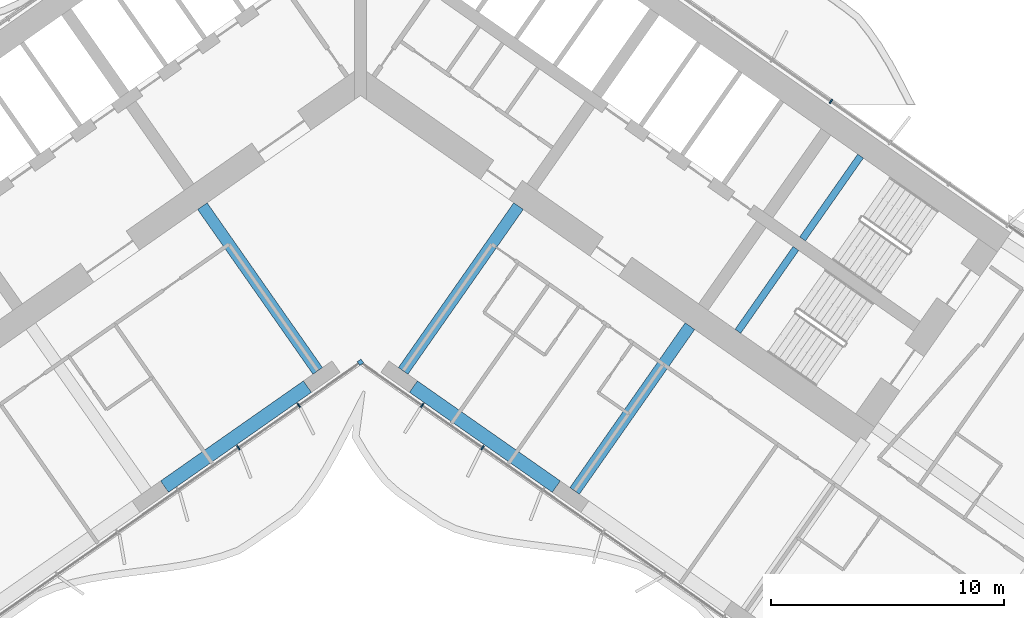
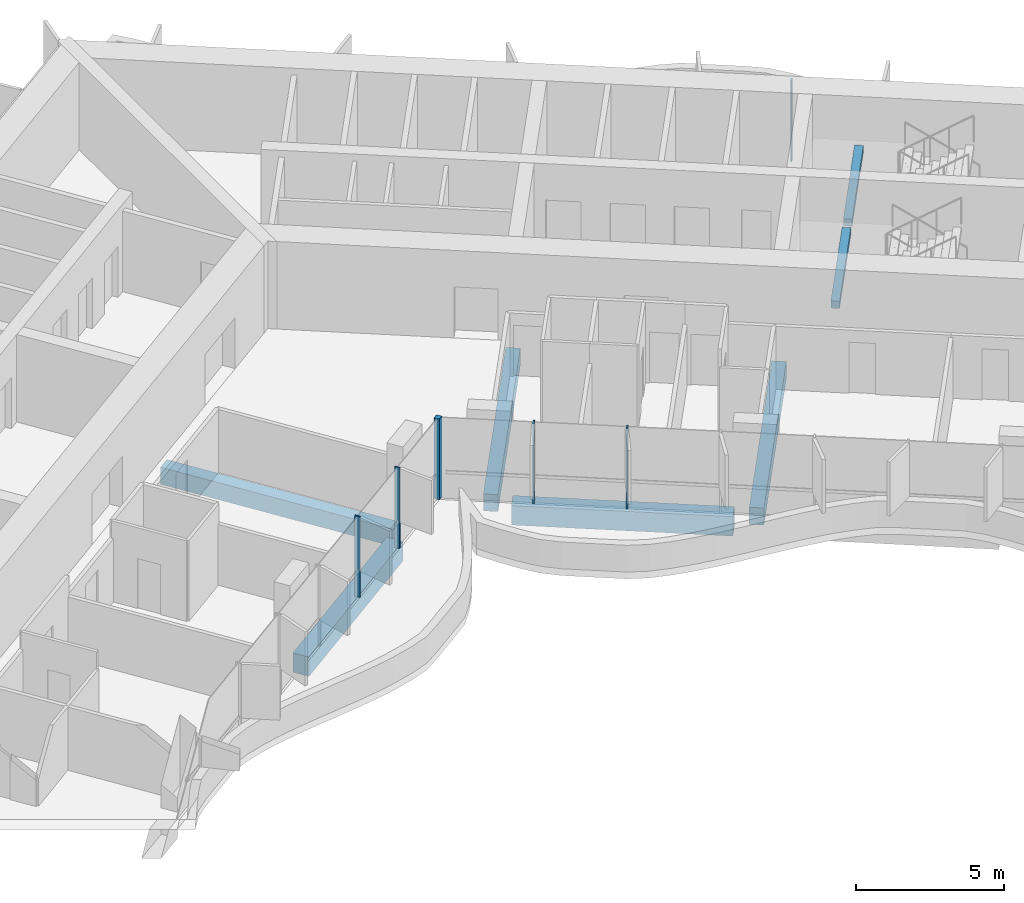
# One storey, part 6 of 23: 7 beams, 6 members, 2 elements without a shape of their own.
"""IFC4 building model written with IfcOpenShell, lengths in metres."""

import ifcopenshell
import ifcopenshell.guid

model = None  # the IFC model being written
_history = None  # IfcOwnerHistory: only IFC2X3 demands one
_inside = {}  # id of a spatial element -> (the spatial element, [elements in it])
_under = {}  # id of a project, library or spatial element -> (it, [spatial elements below it])
_declared = {}  # id of a project -> (the project, [libraries it declares])
_typed = {}  # id of a type object -> (the type object, [elements of that type])
_made_of = {}  # id of a material, layer set ... -> (it, [elements and type objects made of it])


def new_model(schema):
    """Start an empty IFC model of exactly this schema.

    Asked for "IFC4X3", IfcOpenShell would pick the latest addendum, in which some entities
    have other attributes; the version numbers below select the first issue.
    IFC2X3 requires an IfcOwnerHistory on every rooted entity: one is made here for all.
    """
    global model, _history
    if schema == "IFC4X3":
        model = ifcopenshell.file(schema_version=(4, 3, 0, 0))
    else:
        model = ifcopenshell.file(schema=schema)
    _inside.clear()
    _under.clear()
    _declared.clear()
    _typed.clear()
    _made_of.clear()
    _history = None
    if model.schema == "IFC2X3":
        org = make("IfcOrganization", Name="unknown")
        user = make(
            "IfcPersonAndOrganization",
            ThePerson=make("IfcPerson", FamilyName="unknown"),
            TheOrganization=org,
        )
        app = make(
            "IfcApplication",
            ApplicationDeveloper=org,
            Version="unknown",
            ApplicationFullName="unknown",
            ApplicationIdentifier="unknown",
        )
        _history = make(
            "IfcOwnerHistory",
            OwningUser=user,
            OwningApplication=app,
            ChangeAction="ADDED",
            CreationDate=0,
        )
    return model


def make(cls, **values):
    """One entity of the class cls with the attributes given. An attribute that is None is left unset."""
    return model.create_entity(
        cls, **{name: value for name, value in values.items() if value is not None}
    )


def rooted(cls, **values):
    """An entity with a GlobalId (a new one), such as an element, a storey or a relation."""
    return make(cls, GlobalId=ifcopenshell.guid.new(), OwnerHistory=_history, **values)


def si_unit(unit_type, name, prefix=None):
    """IfcSIUnit, for example si_unit("LENGTHUNIT", "METRE", prefix="MILLI")."""
    return make("IfcSIUnit", UnitType=unit_type, Prefix=prefix, Name=name)


def assignment(units):
    """IfcUnitAssignment: the units of a project."""
    return None if units is None else make("IfcUnitAssignment", Units=units)


def point(xyz):
    """IfcCartesianPoint."""
    return None if xyz is None else make("IfcCartesianPoint", Coordinates=xyz)


def direction(xyz):
    """IfcDirection."""
    return None if xyz is None else make("IfcDirection", DirectionRatios=xyz)


def frame(location, z_axis=None, x_axis=None):
    """IfcAxis2Placement3D, a coordinate frame: its origin and axes. An axis left out is left unset."""
    return make(
        "IfcAxis2Placement3D",
        Location=point(location),
        Axis=direction(z_axis),
        RefDirection=direction(x_axis),
    )


def frame_2d(location, x_axis=None):
    """IfcAxis2Placement2D, a coordinate frame in the plane: its origin and x axis."""
    return make(
        "IfcAxis2Placement2D", Location=point(location), RefDirection=direction(x_axis)
    )


def origin():
    """The frame at (0, 0, 0) with its axes left unset."""
    return frame((0.0, 0.0, 0.0))


def origin_2d():
    """The frame at (0, 0) in the plane with its x axis left unset."""
    return frame_2d((0.0, 0.0))


def place(relative_to, where):
    """IfcLocalPlacement: puts the frame where relative to a parent placement (None: the world)."""
    return make(
        "IfcLocalPlacement", PlacementRelTo=relative_to, RelativePlacement=where
    )


def context(
    kind, dimensions, precision=None, world=None, true_north=None, identifier=None
):
    """IfcGeometricRepresentationContext, for example the 3D "Model" context."""
    return make(
        "IfcGeometricRepresentationContext",
        ContextIdentifier=identifier,
        ContextType=kind,
        CoordinateSpaceDimension=dimensions,
        Precision=precision,
        WorldCoordinateSystem=world,
        TrueNorth=true_north,
    )


def subcontext(parent, identifier, kind, view, scale=None):
    """IfcGeometricRepresentationSubContext, for example "Body" below "Model"."""
    return make(
        "IfcGeometricRepresentationSubContext",
        ContextIdentifier=identifier,
        ContextType=kind,
        ParentContext=parent,
        TargetScale=scale,
        TargetView=view,
    )


def project(units=None, contexts=None):
    """IfcProject with its units and contexts."""
    return rooted(
        "IfcProject",
        Name="project",
        RepresentationContexts=contexts,
        UnitsInContext=assignment(units),
    )


def spatial(cls, under=None, at=None, **own):
    """A site, building, storey or space (cls), placed at a placement, below another one or the project."""
    s = rooted(cls, ObjectPlacement=at, **own)
    if under is not None:
        _under.setdefault(under.id(), (under, []))[1].append(s)
    return s


def profile(cls, at=None, kind="AREA", **sizes):
    """A parametric profile (cls). Its sizes go by their IFC names, for example OverallWidth=200.0."""
    return make(cls, ProfileType=kind, Position=at, **sizes)


def rectangle(**sizes):
    """IfcRectangleProfileDef."""
    return profile("IfcRectangleProfileDef", **sizes)


def extrude(swept, where, along, depth):
    """IfcExtrudedAreaSolid: the profile swept, set in the frame where, extruded along a direction by depth."""
    return make(
        "IfcExtrudedAreaSolid",
        SweptArea=swept,
        Position=where,
        ExtrudedDirection=direction(along),
        Depth=depth,
    )


def shape(context_of_items, identifier, shape_type, items):
    """IfcShapeRepresentation: the items that make up one representation, for example the "Body"."""
    return make(
        "IfcShapeRepresentation",
        ContextOfItems=context_of_items,
        RepresentationIdentifier=identifier,
        RepresentationType=shape_type,
        Items=items,
    )


def material(Name=None, Category=None):
    """IfcMaterial."""
    return make("IfcMaterial", Name=Name, Category=Category)


def material_profile(
    of_material, cross_section, Name=None, Category=None, Priority=None
):
    """IfcMaterialProfile: a cross section and its material."""
    return make(
        "IfcMaterialProfile",
        Name=Name,
        Material=of_material,
        Profile=cross_section,
        Priority=Priority,
        Category=Category,
    )


def profile_set(profiles, Name=None, composite=None):
    """IfcMaterialProfileSet."""
    return make(
        "IfcMaterialProfileSet",
        Name=Name,
        MaterialProfiles=profiles,
        CompositeProfile=composite,
    )


def made_of(thing, what):
    """Note that an element or type object is made of a material, layer set ...; save() writes the relation."""
    if what is not None:
        _made_of.setdefault(what.id(), (what, []))[1].append(thing)
    return thing


def type_object(cls, material=None, **own):
    """A type object (cls), such as IfcWallType, which elements share."""
    return made_of(rooted(cls, **own), material)


def element(
    cls,
    number,
    at=None,
    inside=None,
    cuts=None,
    type_object=None,
    material=None,
    context=None,
    identifier="Body",
    shape_type=None,
    held_by="IfcProductDefinitionShape",
    body=None,
    shapes=None,
    **own,
):
    """One element of the class cls, such as IfcWall. Its Tag is "e" and its number.

    at: its placement. inside: the storey or other place that contains it. cuts: it is an
    opening in that element (IfcRelVoidsElement). A single representation is given by context,
    identifier, shape_type and body (its items); several are given by shapes. held_by: the class
    of the entity that holds the representations. save() writes the other relations.
    """
    e = rooted(cls, Tag="e%d" % number, ObjectPlacement=at, **own)
    if body is not None:
        shapes = [shape(context, identifier, shape_type, body)]
    if shapes is not None:
        e.Representation = make(held_by, Representations=shapes)
    if inside is not None:
        _inside.setdefault(inside.id(), (inside, []))[1].append(e)
    if cuts is not None:
        rooted(
            "IfcRelVoidsElement", RelatingBuildingElement=cuts, RelatedOpeningElement=e
        )
    if type_object is not None:
        _typed.setdefault(type_object.id(), (type_object, []))[1].append(e)
    return made_of(e, material)


def aggregate(whole, parts):
    """IfcRelAggregates: a whole, such as a stair, and the parts it consists of."""
    return rooted("IfcRelAggregates", RelatingObject=whole, RelatedObjects=parts)


def save(model, path):
    """Write the relations noted so far, then the file.

    IfcRelAggregates (storeys below a building ...), IfcRelContainedInSpatialStructure (elements
    in a storey), IfcRelDefinesByType, IfcRelAssociatesMaterial and IfcRelDeclares: one each for
    every whole, place, type object, material and project.
    """
    for whole, parts in _under.values():
        aggregate(whole, parts)
    for where, things in _inside.values():
        rooted(
            "IfcRelContainedInSpatialStructure",
            RelatedElements=things,
            RelatingStructure=where,
        )
    for kind, things in _typed.values():
        rooted("IfcRelDefinesByType", RelatedObjects=things, RelatingType=kind)
    for what, things in _made_of.values():
        rooted("IfcRelAssociatesMaterial", RelatedObjects=things, RelatingMaterial=what)
    for by, libraries in _declared.values():
        rooted("IfcRelDeclares", RelatingContext=by, RelatedDefinitions=libraries)
    model.write(path)


model = new_model("IFC4")

# Units and contexts
model_context = context("Model", 3, precision=1e-05, world=origin(), true_north=direction((0.0, 1.0)))
body_context = subcontext(model_context, "Body", "Model", "MODEL_VIEW")
ifc_project = project(units=[si_unit("LENGTHUNIT", "METRE"), si_unit("AREAUNIT", "SQUARE_METRE"), si_unit("VOLUMEUNIT", "CUBIC_METRE"), si_unit("PLANEANGLEUNIT", "RADIAN"), si_unit("MASSUNIT", "GRAM", prefix="KILO")], contexts=[model_context])

# Site, building, storey
site_placement = place(None, origin())
site = spatial("IfcSite", under=ifc_project, at=site_placement, CompositionType="ELEMENT")
building_placement = place(site_placement, origin())
building = spatial("IfcBuilding", under=site, at=building_placement, Name="Tel Ilan Convention Tower", CompositionType="ELEMENT")
storey_placement = place(building_placement, frame((0.0, 0.0, 119.300048828125)))
storey = spatial("IfcBuildingStorey", under=building, at=storey_placement, Name="L26", CompositionType="ELEMENT", Elevation=119.300048828125)

# Beams
ifc_material_1 = material(Name="Concrete C40/50", Category="concrete")
ifc_material_profile_1 = material_profile(ifc_material_1, rectangle(XDim=0.5, YDim=0.699951171875, at=origin_2d()), Name="RC 500x700")
ifc_profile_set_1 = profile_set([ifc_material_profile_1], Name="Concrete C40/50")
beam_type_1 = type_object("IfcBeamType", Name="Beam RC 500x700 Concrete C40/50", PredefinedType="BEAM", material=ifc_profile_set_1)
for number, where, z_axis, x_axis, name in (
    (1, (-1.83740234375, -13.06689453125, -0.630126953125), (-0.573574099654, 0.819153680457, 0.0), (-0.819153680457, -0.573574099654, 0.0), "L26 beam W-W-F1-core"),
    (2, (1.83740234375, -13.06689453125, -0.630126953125), (0.573574099654, 0.819153680457, 0.0), (-0.819153680457, 0.573574099654, 0.0), "L26 beam E-E-F1-core"),
    (3, (9.209716796875, -18.229248046875, -0.630126953125), (0.573574099654, 0.819153680457, 0.0), (-0.819153680457, 0.573574099654, 0.0), "L26 beam E-E-F2-core"),
):
    element("IfcBeam", number, at=place(storey_placement, frame(where, z_axis=z_axis, x_axis=x_axis)), inside=storey, type_object=beam_type_1, Name=name, PredefinedType="BEAM", context=body_context, shape_type="SweptSolid", body=[
        extrude(rectangle(XDim=0.5, YDim=0.699951171875, at=origin_2d()), origin(), (0.0, 0.0, 1.0), 8.64990234375),
    ])
ifc_material_2 = material(Name="Concrete C40/50", Category="concrete")
ifc_material_profile_2 = material_profile(ifc_material_2, rectangle(XDim=0.60009765625, YDim=0.800048828125, at=origin_2d()), Name="RC 600x800")
ifc_profile_set_2 = profile_set([ifc_material_profile_2], Name="Concrete C40/50")
beam_type_2 = type_object("IfcBeamType", Name="Beam RC 600x800 Concrete C40/50", PredefinedType="BEAM", material=ifc_profile_set_2)
for number, where, z_axis, x_axis, name in (
    (4, (-2.279541015625, -13.742919921875, -0.679931640625), (-0.819147803225, -0.57358249317, 0.0), (0.57358249317, -0.819147803225, 0.0), "L26 beam W-W-F1-W-F2"),
    (5, (2.279541015625, -13.742919921875, -0.679931640625), (0.819147803225, -0.57358249317, 0.0), (0.57358249317, 0.819147803225, 0.0), "L26 beam E-E-F1-E-F2"),
):
    element("IfcBeam", number, at=place(storey_placement, frame(where, z_axis=z_axis, x_axis=x_axis)), inside=storey, type_object=beam_type_2, Name=name, PredefinedType="BEAM", context=body_context, shape_type="SweptSolid", body=[
        extrude(rectangle(XDim=0.60009765625, YDim=0.800048828125, at=origin_2d()), origin(), (0.0, 0.0, 1.0), 7.500244140625),
    ])

# Curtain wall, member
ifc_material_3 = material(Name="Aluminium, bronze anodised", Category="aluminium")
curtain_wall_type_1 = type_object("IfcCurtainWallType", Name="CW1 UNITISED CURTAIN WALL, HOTEL TINTED GLASS", PredefinedType="NOTDEFINED", material=ifc_material_3)
curtain_wall_1_placement = place(storey_placement, origin())
curtain_wall_1 = element("IfcCurtainWall", 6, at=curtain_wall_1_placement, inside=storey, type_object=curtain_wall_type_1, Name="Curtain wall CW1-20.02", PredefinedType="NOTDEFINED")
ifc_material_4 = material(Name="Aluminium, bronze anodised", Category="aluminium")
ifc_material_profile_3 = material_profile(ifc_material_4, rectangle(XDim=0.199951171875, YDim=0.199951171875, at=origin_2d()), Name="CW CORNER MULLION 200x200")
ifc_profile_set_3 = profile_set([ifc_material_profile_3], Name="Aluminium, bronze anodised")
member_type_1 = type_object("IfcMemberType", Name="CW CORNER MULLION 200x200", PredefinedType="MULLION", material=ifc_profile_set_3)
member_1_placement = place(storey_placement, frame((0.0, -12.696044921875, 0.0), z_axis=(0.0, 0.0, 1.0), x_axis=(0.819152044289, 0.573576436351, 0.0)))
member_1 = element("IfcMember", 7, at=member_1_placement, type_object=member_type_1, Name="Corner mullion", PredefinedType="MULLION", context=body_context, shape_type="SweptSolid", body=[
    extrude(rectangle(XDim=0.199951171875, YDim=0.199951171875, at=origin_2d()), origin(), (0.0, 0.0, 1.0), 3.320068359375),
])

ifc_material_5 = material(Name="Aluminium, bronze anodised", Category="aluminium")
curtain_wall_type_2 = type_object("IfcCurtainWallType", Name="CW2 STICK CURTAIN WALL, SPANDREL PANELS", PredefinedType="NOTDEFINED", material=ifc_material_5)
curtain_wall_2_placement = place(storey_placement, origin())
curtain_wall_2 = element("IfcCurtainWall", 8, at=curtain_wall_2_placement, inside=storey, type_object=curtain_wall_type_2, Name="Curtain wall CW2-20.01", PredefinedType="NOTDEFINED")
ifc_material_6 = material(Name="Aluminium, bronze anodised", Category="aluminium")
ifc_material_profile_4 = material_profile(ifc_material_6, rectangle(XDim=0.06005859375, YDim=0.199951171875, at=origin_2d()), Name="CW MULLION 60x200")
ifc_profile_set_4 = profile_set([ifc_material_profile_4], Name="Aluminium, bronze anodised")
member_type_2 = type_object("IfcMemberType", Name="CW MULLION 60x200", PredefinedType="MULLION", material=ifc_profile_set_4)
member_2_placement = place(storey_placement, frame((20.238037109375, -1.474853515625, 0.0), z_axis=(0.0, 0.0, 1.0), x_axis=(-0.819152044289, 0.573576436351, 0.0)))
member_2 = element("IfcMember", 9, at=member_2_placement, type_object=member_type_2, Name="Mullion", PredefinedType="MULLION", context=body_context, shape_type="SweptSolid", body=[
    extrude(rectangle(XDim=0.06005859375, YDim=0.199951171875, at=origin_2d()), origin(), (0.0, 0.0, 1.0), 3.320068359375),
])
aggregate(curtain_wall_2, [member_2])

# Member
member_3_placement = place(storey_placement, frame((-5.24755859375, -16.370361328125, 0.0), z_axis=(0.0, 0.0, 1.0), x_axis=(0.819152044289, 0.573576436351, 0.0)))
member_3 = element("IfcMember", 10, at=member_3_placement, type_object=member_type_2, Name="Mullion", PredefinedType="MULLION", context=body_context, shape_type="SweptSolid", body=[
    extrude(rectangle(XDim=0.06005859375, YDim=0.199951171875, at=origin_2d()), origin(), (0.0, 0.0, 1.0), 3.320068359375),
])

member_4_placement = place(storey_placement, frame((-2.65234375, -14.55322265625, 0.0), z_axis=(0.0, 0.0, 1.0), x_axis=(0.819152044289, 0.573576436351, 0.0)))
member_4 = element("IfcMember", 11, at=member_4_placement, type_object=member_type_2, Name="Mullion", PredefinedType="MULLION", context=body_context, shape_type="SweptSolid", body=[
    extrude(rectangle(XDim=0.06005859375, YDim=0.199951171875, at=origin_2d()), origin(), (0.0, 0.0, 1.0), 3.320068359375),
])

member_5_placement = place(storey_placement, frame((2.65234375, -14.55322265625, 0.0), z_axis=(0.0, 0.0, 1.0), x_axis=(0.819152044289, -0.573576436351, 0.0)))
member_5 = element("IfcMember", 12, at=member_5_placement, type_object=member_type_2, Name="Mullion", PredefinedType="MULLION", context=body_context, shape_type="SweptSolid", body=[
    extrude(rectangle(XDim=0.06005859375, YDim=0.199951171875, at=origin_2d()), origin(), (0.0, 0.0, 1.0), 3.320068359375),
])

member_6_placement = place(storey_placement, frame((5.24755859375, -16.370361328125, 0.0), z_axis=(0.0, 0.0, 1.0), x_axis=(0.819152044289, -0.573576436351, 0.0)))
member_6 = element("IfcMember", 13, at=member_6_placement, type_object=member_type_2, Name="Mullion", PredefinedType="MULLION", context=body_context, shape_type="SweptSolid", body=[
    extrude(rectangle(XDim=0.06005859375, YDim=0.199951171875, at=origin_2d()), origin(), (0.0, 0.0, 1.0), 3.320068359375),
])

aggregate(curtain_wall_1, [member_3, member_4, member_1, member_5, member_6])

# Beams
ifc_material_7 = material(Name="Concrete C40/50", Category="concrete")
ifc_material_profile_5 = material_profile(ifc_material_7, rectangle(XDim=0.300048828125, YDim=0.300048828125, at=origin_2d()), Name="RC 300x300")
ifc_profile_set_5 = profile_set([ifc_material_profile_5], Name="Concrete C40/50")
beam_type_3 = type_object("IfcBeamType", Name="Landing Beam RC 300x300 Concrete C40/50", PredefinedType="BEAM", material=ifc_profile_set_5)
beam_1_placement = place(storey_placement, frame((21.5087890625, -3.829345703125, 1.449951171875), z_axis=(-0.57356780395, -0.819158088694, 0.0), x_axis=(0.819158088694, -0.57356780395, 0.0)))
element("IfcBeam", 14, at=beam_1_placement, inside=storey, type_object=beam_type_3, Name="S3 landing beam L26.1", PredefinedType="BEAM", context=body_context, shape_type="SweptSolid", body=[
    extrude(rectangle(XDim=0.300048828125, YDim=0.300048828125, at=origin_2d()), origin(), (0.0, 0.0, 1.0), 4.35009765625),
])
beam_2_placement = place(storey_placement, frame((18.726806640625, -7.80224609375, 1.449951171875), z_axis=(-0.573594173421, -0.819139624372, 0.0), x_axis=(0.819139624372, -0.573594173421, 0.0)))
element("IfcBeam", 15, at=beam_2_placement, inside=storey, type_object=beam_type_3, Name="S4 landing beam L26.1", PredefinedType="BEAM", context=body_context, shape_type="SweptSolid", body=[
    extrude(rectangle(XDim=0.300048828125, YDim=0.300048828125, at=origin_2d()), origin(), (0.0, 0.0, 1.0), 4.349853515625),
])

save(model, "model.ifc")
